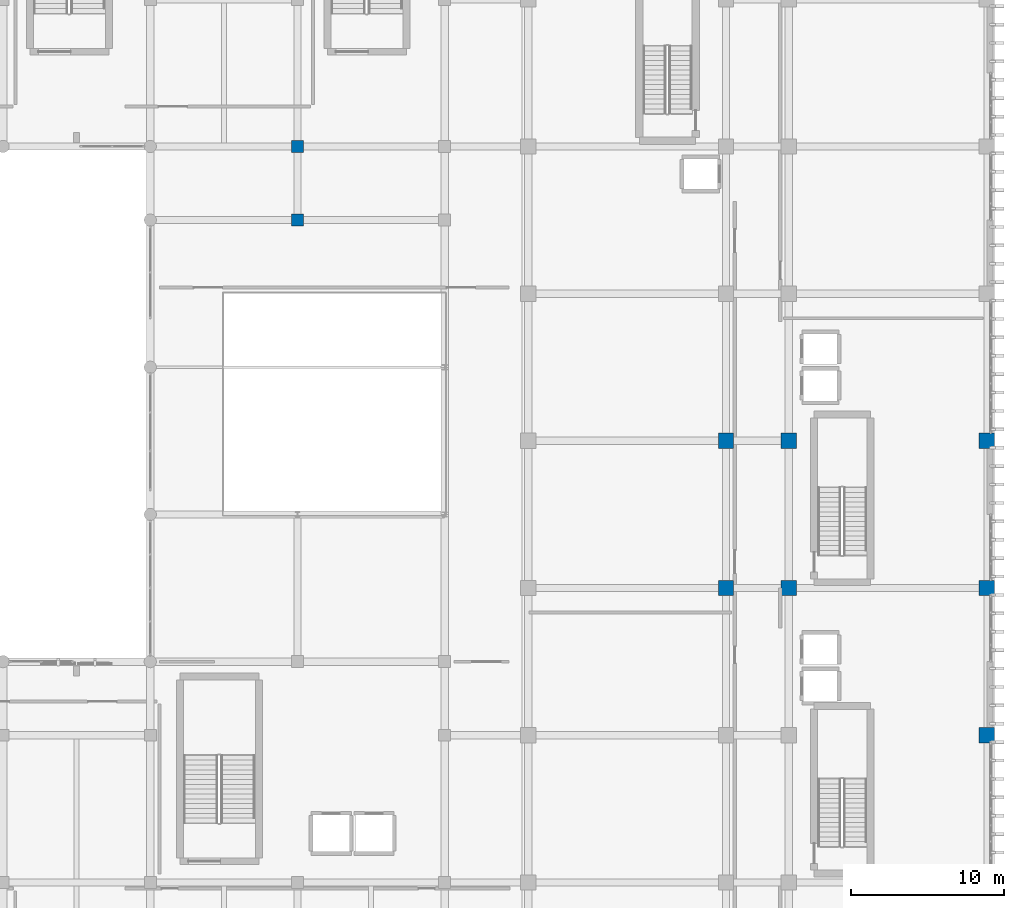
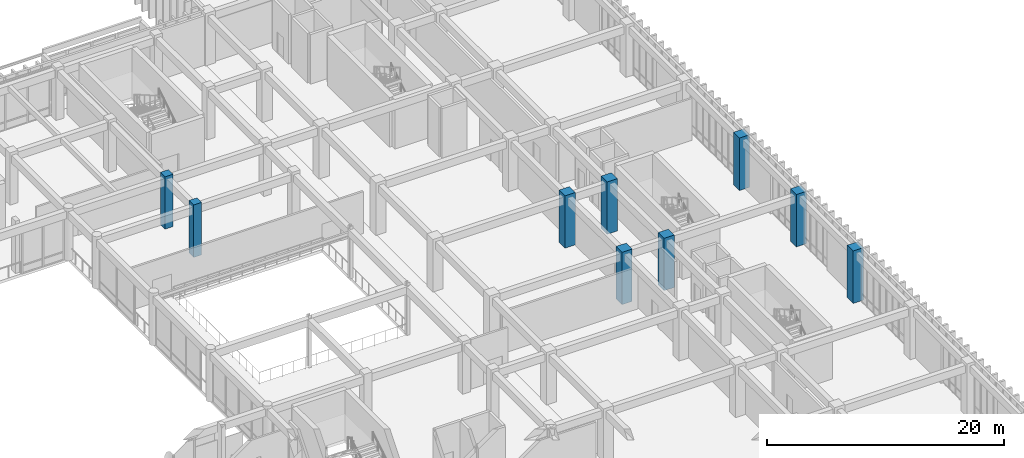
# One storey, part 9 of 134: 9 columns.
"""IFC4 building model written with IfcOpenShell, lengths in metres."""

from ifc_helpers import new_model, si_unit, direction, frame, origin, origin_2d, place, context, subcontext, project, spatial, rectangle, extrude, material, material_profile, profile_set, type_object, element, save


model = new_model("IFC4")

# Units and contexts
model_context = context("Model", 3, precision=1e-05, world=origin(), true_north=direction((0.0, 1.0)))
body_context = subcontext(model_context, "Body", "Model", "MODEL_VIEW")
ifc_project = project(units=[si_unit("LENGTHUNIT", "METRE"), si_unit("AREAUNIT", "SQUARE_METRE"), si_unit("VOLUMEUNIT", "CUBIC_METRE"), si_unit("PLANEANGLEUNIT", "RADIAN"), si_unit("MASSUNIT", "GRAM", prefix="KILO")], contexts=[model_context])

# Site, building, storey
site_placement = place(None, origin())
site = spatial("IfcSite", under=ifc_project, at=site_placement, CompositionType="ELEMENT")
building_placement = place(site_placement, origin())
building = spatial("IfcBuilding", under=site, at=building_placement, Name="Nakhvara Creek Congress Hotel", CompositionType="ELEMENT")
storey_placement = place(building_placement, frame((0.0, 0.0, 6.0)))
storey = spatial("IfcBuildingStorey", under=building, at=storey_placement, Name="L01", CompositionType="ELEMENT", Elevation=6.0)

# Columns
ifc_material = material(Name="Concrete C50/60", Category="concrete")
ifc_material_profile_1 = material_profile(ifc_material, rectangle(XDim=1.0, YDim=1.0, at=origin_2d()), Name="RC-COL 1000x1000", Category="LoadBearing")
ifc_profile_set_1 = profile_set([ifc_material_profile_1], Name="Concrete C50/60")
column_type_1 = type_object("IfcColumnType", Name="COL-RC-1000", PredefinedType="COLUMN", material=ifc_profile_set_1)
for number, where, z_axis, x_axis, name in (
    (1, (162.35009765625, 48.0, 0.0), (0.0, 0.0, 1.0), (1.0, 0.0, 0.0), "Column C02-L01-0999"),
    (2, (162.35009765625, 57.60009765625, 0.0), (0.0, 0.0, 1.0), (1.0, 0.0, 0.0), "Column C02-L01-1000"),
    (3, (166.449951171875, 48.0, 0.0), (0.0, 0.0, 1.0), (1.0, 0.0, 0.0), "Column C02-L01-1013"),
    (4, (166.449951171875, 57.60009765625, 0.0), (0.0, 0.0, 1.0), (1.0, 0.0, 0.0), "Column C02-L01-1014"),
    (5, (179.35009765625, 38.39990234375, 0.0), (0.0, 0.0, 1.0), (1.0, 0.0, 0.0), "Column C02-L01-1026"),
    (6, (179.35009765625, 48.0, 0.0), (0.0, 0.0, 1.0), (1.0, 0.0, 0.0), "Column C02-L01-1027"),
    (7, (179.35009765625, 57.60009765625, 0.0), (0.0, 0.0, 1.0), (1.0, 0.0, 0.0), "Column C02-L01-1028"),
):
    element("IfcColumn", number, at=place(storey_placement, frame(where, z_axis=z_axis, x_axis=x_axis)), inside=storey, type_object=column_type_1, Name=name, PredefinedType="COLUMN", context=body_context, shape_type="SweptSolid", body=[
        extrude(rectangle(XDim=1.0, YDim=1.0, at=origin_2d()), origin(), (0.0, 0.0, 1.0), 5.39990234375),
    ])
ifc_material_profile_2 = material_profile(ifc_material, rectangle(XDim=0.780029296875, YDim=0.780029296875, at=origin_2d()), Name="RC-COL 780x780", Category="LoadBearing")
ifc_profile_set_2 = profile_set([ifc_material_profile_2], Name="Concrete C50/60")
column_type_2 = type_object("IfcColumnType", Name="COL-RC-780", PredefinedType="COLUMN", material=ifc_profile_set_2)
for number, where, z_axis, x_axis, name in (
    (8, (134.39990234375, 72.0, 0.0), (0.0, 0.0, 1.0), (1.0, 0.0, 0.0), "Column C19-L01-0960"),
    (9, (134.39990234375, 76.800048828125, 0.0), (0.0, 0.0, 1.0), (1.0, 0.0, 0.0), "Column C19-L01-0961"),
):
    element("IfcColumn", number, at=place(storey_placement, frame(where, z_axis=z_axis, x_axis=x_axis)), inside=storey, type_object=column_type_2, Name=name, PredefinedType="COLUMN", context=body_context, shape_type="SweptSolid", body=[
        extrude(rectangle(XDim=0.780029296875, YDim=0.780029296875, at=origin_2d()), origin(), (0.0, 0.0, 1.0), 5.39990234375),
    ])

save(model, "model.ifc")
